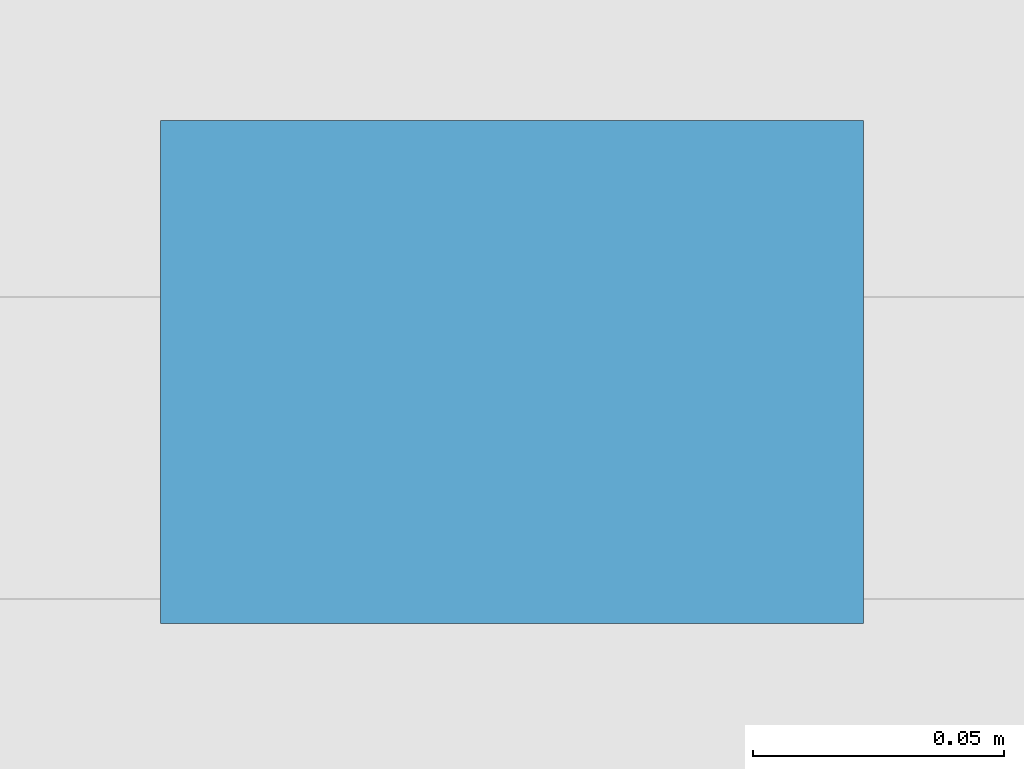
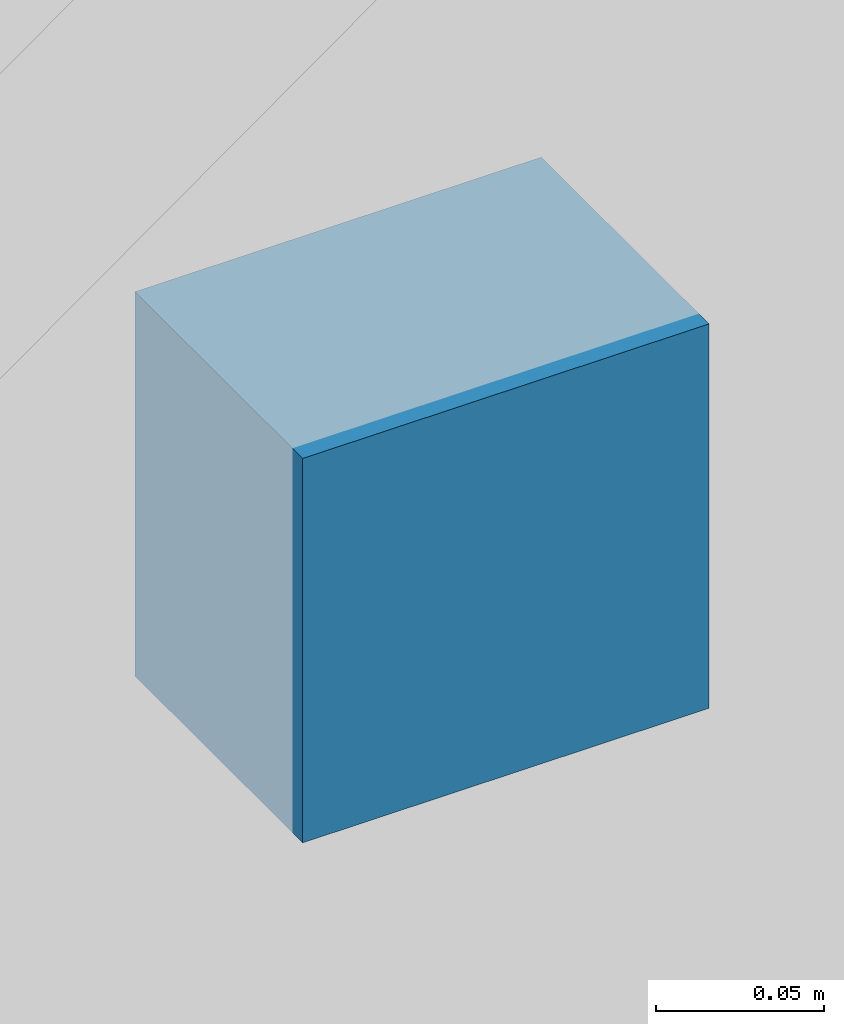
# One storey, part 116 of 137: 1 discrete accessory.
"""IFC4 building model written with IfcOpenShell, lengths in metres."""

from ifc_helpers import new_model, si_unit, direction, frame, origin, origin_2d, place, context, subcontext, project, spatial, rectangle, extrude, material, type_object, element, save


model = new_model("IFC4")

# Units and contexts
model_context = context("Model", 3, precision=1e-05, world=origin(), true_north=direction((0.0, 1.0)))
body_context = subcontext(model_context, "Body", "Model", "MODEL_VIEW")
ifc_project = project(units=[si_unit("LENGTHUNIT", "METRE"), si_unit("AREAUNIT", "SQUARE_METRE"), si_unit("VOLUMEUNIT", "CUBIC_METRE"), si_unit("PLANEANGLEUNIT", "RADIAN"), si_unit("MASSUNIT", "GRAM", prefix="KILO")], contexts=[model_context])

# Site, building, storey
site_placement = place(None, origin())
site = spatial("IfcSite", under=ifc_project, at=site_placement, CompositionType="ELEMENT")
building_placement = place(site_placement, origin())
building = spatial("IfcBuilding", under=site, at=building_placement, Name="Kalmorath City Hall", CompositionType="ELEMENT")
storey_placement = place(building_placement, origin())
storey = spatial("IfcBuildingStorey", under=building, at=storey_placement, Name="L00", CompositionType="ELEMENT", Elevation=0.0)

# Discrete accessory
ifc_material = material(Name="Stainless steel Grade 316", Category="steel")
discrete_accessory_type = type_object("IfcDiscreteAccessoryType", Name="Stainless rainscreen support bracket", PredefinedType="BRACKET", material=ifc_material)
discrete_accessory_placement = place(storey_placement, frame((112.385009765625, 93.610107421875, 3.9912109375), z_axis=(0.0, 0.0, 1.0), x_axis=(-1.0, 0.0, 0.0)))
element("IfcDiscreteAccessory", 1, at=discrete_accessory_placement, inside=storey, type_object=discrete_accessory_type, Name="L00 basalt anchor bracket #14", PredefinedType="BRACKET", context=body_context, shape_type="SweptSolid", body=[
    extrude(rectangle(XDim=0.139892578125, YDim=0.10009765625, at=origin_2d()), origin(), (0.0, 0.0, 1.0), 0.139892578125),
])

save(model, "model.ifc")
